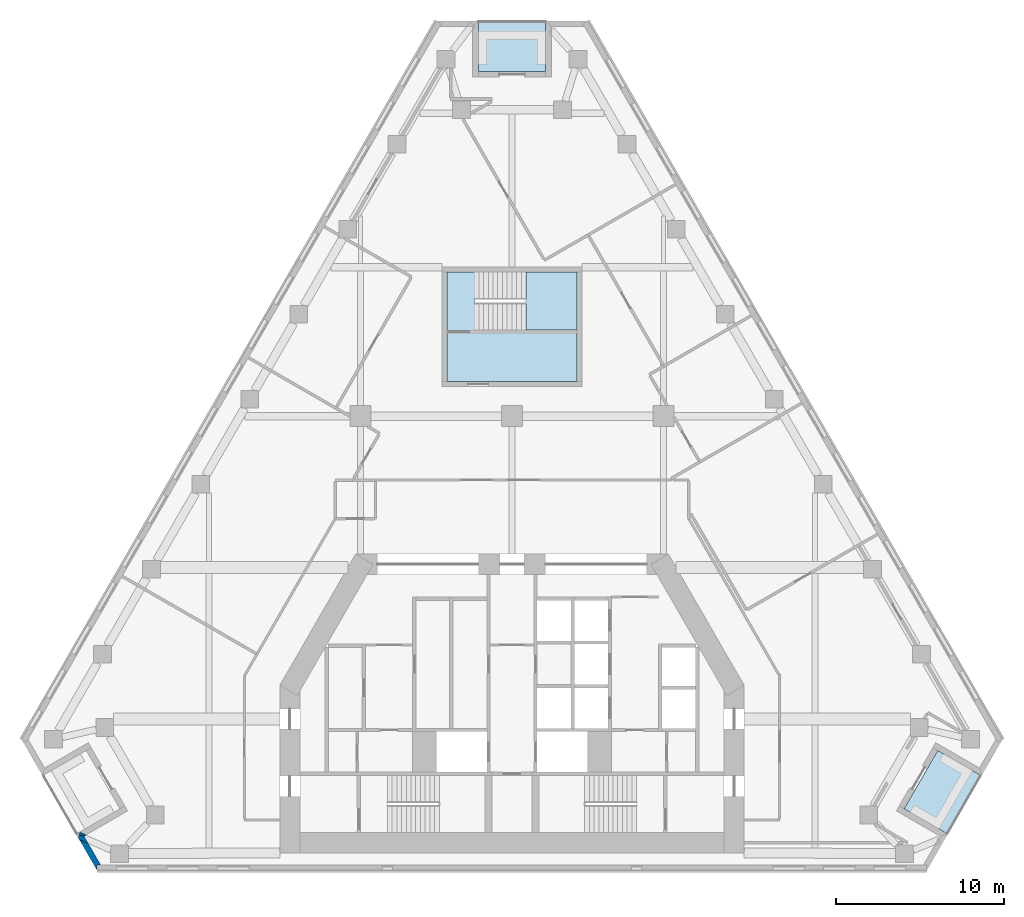
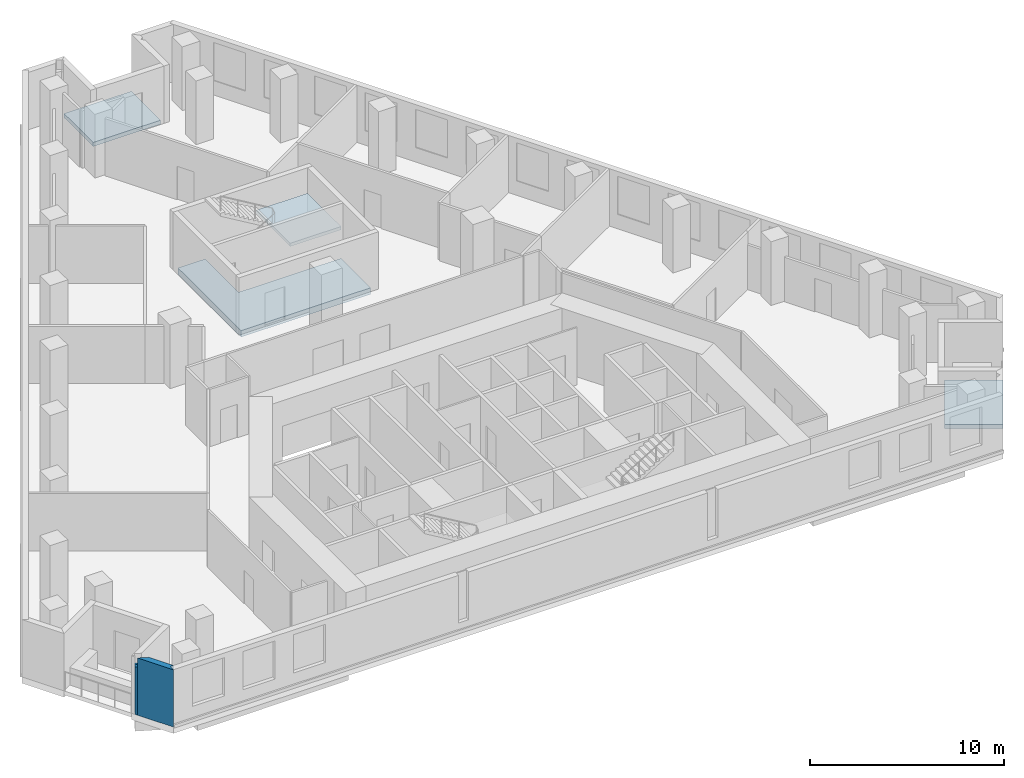
# One storey, part 2 of 9: 4 slabs, 3 walls, 1 element without a shape of its own.
"""IFC4 building model written with IfcOpenShell, lengths in metres."""

from ifc_helpers import new_model, si_unit, direction, frame, origin, place, context, subcontext, project, spatial, polyline, outline, extrude, material, layer, layer_set, type_object, element, aggregate, save


model = new_model("IFC4")

# Units and contexts
model_context = context("Model", 3, precision=1e-05, world=origin(), true_north=direction((0.0, 1.0)))
body_context = subcontext(model_context, "Body", "Model", "MODEL_VIEW")
ifc_project = project(units=[si_unit("LENGTHUNIT", "METRE"), si_unit("AREAUNIT", "SQUARE_METRE"), si_unit("VOLUMEUNIT", "CUBIC_METRE"), si_unit("PLANEANGLEUNIT", "RADIAN"), si_unit("MASSUNIT", "GRAM", prefix="KILO")], contexts=[model_context])

# Site, building, storey
site_placement = place(None, origin())
site = spatial("IfcSite", under=ifc_project, at=site_placement, CompositionType="ELEMENT")
building_placement = place(site_placement, origin())
building = spatial("IfcBuilding", under=site, at=building_placement, Name="Fogline Exchange Tower", CompositionType="ELEMENT")
storey_placement = place(building_placement, frame((0.0, 0.0, 146.89990234375)))
storey = spatial("IfcBuildingStorey", under=building, at=storey_placement, Name="L32", CompositionType="ELEMENT", Elevation=146.89990234375)

# Slabs
ifc_material_1 = material(Name="Concrete C40", Category="concrete")
ifc_layer_1 = layer(ifc_material_1, 0.25)
ifc_layer_set_1 = layer_set([ifc_layer_1], Name="DK1")
slab_type_1 = type_object("IfcSlabType", Name="DK1", PredefinedType="FLOOR", material=ifc_layer_set_1)
slab_1_placement = place(storey_placement, frame((0.0, 0.0, -0.25)))
element("IfcSlab", 1, at=slab_1_placement, inside=storey, type_object=slab_type_1, Name="Balcony L32 SE", PredefinedType="FLOOR", context=body_context, shape_type="SweptSolid", body=[
    extrude(outline(polyline([(25.8984375, 2.1650390625), (27.8984375, 5.629150390625), (25.30029296875, 7.129150390625), (23.30029296875, 3.6650390625), (25.8984375, 2.1650390625)])), origin(), (0.0, 0.0, 1.0), 0.25),
])
slab_2_placement = place(storey_placement, frame((0.0, 0.0, -0.25)))
element("IfcSlab", 2, at=slab_2_placement, inside=storey, type_object=slab_type_1, Name="Balcony L32 N", PredefinedType="FLOOR", context=body_context, shape_type="SweptSolid", body=[
    extrude(outline(polyline([(2.0, 50.48681640625), (-2.0, 50.48681640625), (-2.0, 47.48681640625), (2.0, 47.48681640625), (2.0, 50.48681640625)])), origin(), (0.0, 0.0, 1.0), 0.25),
])
ifc_layer_2 = layer(ifc_material_1, 0.39990234375)
ifc_layer_set_2 = layer_set([ifc_layer_2], Name="S03")
slab_type_2 = type_object("IfcSlabType", Name="S03", PredefinedType="FLOOR", material=ifc_layer_set_2)
slab_3_placement = place(storey_placement, frame((0.0, 0.0, -0.39990234375)))
element("IfcSlab", 3, at=slab_3_placement, inside=storey, type_object=slab_type_2, Name="Stair enclosure floor slab", PredefinedType="FLOOR", context=body_context, shape_type="SweptSolid", body=[
    extrude(outline(polyline([(3.85009765625, 29.056884765625), (-3.85009765625, 29.056884765625), (-3.85009765625, 35.556884765625), (-2.239990234375, 35.556884765625), (-2.239990234375, 32.10693359375), (3.85009765625, 32.10693359375), (3.85009765625, 29.056884765625)])), origin(), (0.0, 0.0, 1.0), 0.39990234375),
])

# Stair, slab
stair_type = type_object("IfcStairType", Name="STR24-1667", PredefinedType="HALF_TURN_STAIR", material=ifc_material_1)
stair_placement = place(storey_placement, origin())
stair = element("IfcStair", 4, at=stair_placement, inside=storey, type_object=stair_type, Name="Stair ST3", PredefinedType="HALF_TURN_STAIR")
ifc_layer_3 = layer(ifc_material_1, 0.199951171875)
ifc_layer_set_3 = layer_set([ifc_layer_3], Name="SL200")
slab_type_3 = type_object("IfcSlabType", Name="SL200", PredefinedType="LANDING", material=ifc_layer_set_3)
slab_4_placement = place(storey_placement, frame((0.0, 0.0, 1.800048828125)))
slab_4 = element("IfcSlab", 5, at=slab_4_placement, type_object=slab_type_3, Name="ST3 landing 1", PredefinedType="LANDING", context=body_context, shape_type="SweptSolid", body=[
    extrude(outline(polyline([(0.830078125, 32.10693359375), (3.85009765625, 32.10693359375), (3.85009765625, 35.556884765625), (0.830078125, 35.556884765625), (0.830078125, 32.10693359375)])), origin(), (0.0, 0.0, 1.0), 0.199951171875),
])
aggregate(stair, [slab_4])

# Walls
ifc_material_2 = material(Name="Brick masonry", Category="masonry")
ifc_layer_4 = layer(ifc_material_2, 0.340087890625)
ifc_layer_set_4 = layer_set([ifc_layer_4], Name="FW1")
wall_type = type_object("IfcWallType", Name="FW1", PredefinedType="SOLIDWALL", material=ifc_layer_set_4)
wall_1_placement = place(storey_placement, origin())
element("IfcWall", 6, at=wall_1_placement, inside=storey, type_object=wall_type, Name="Brick wall L32 SW-s2", PredefinedType="SOLIDWALL", context=body_context, shape_type="SweptSolid", body=[
    extrude(outline(polyline([(-25.433837890625, 2.0400390625), (-25.723388671875, 2.11767578125), (-25.659423828125, 2.260986328125), (-25.31640625, 2.10791015625), (-25.433837890625, 2.0400390625)])), origin(), (0.0, 0.0, 1.0), 3.0),
])
wall_2_placement = place(storey_placement, origin())
element("IfcWall", 7, at=wall_2_placement, inside=storey, type_object=wall_type, Name="Brick wall L32 SW-c2", PredefinedType="SOLIDWALL", context=body_context, shape_type="SweptSolid", body=[
    extrude(outline(polyline([(-25.7880859375, 1.972900390625), (-25.722900390625, 2.11865234375), (-25.43359375, 2.041015625), (-25.185546875, 1.611328125), (-25.71630859375, 1.848388671875), (-25.7880859375, 1.972900390625)])), origin(), (0.0, 0.0, 1.0), 3.0),
])
wall_3_placement = place(storey_placement, origin())
element("IfcWall", 8, at=wall_3_placement, inside=storey, type_object=wall_type, Name="Brick wall L32 SW-c2", PredefinedType="SOLIDWALL", context=body_context, shape_type="SweptSolid", body=[
    extrude(outline(polyline([(-24.64794921875, 0.33935546875), (-24.64794921875, -0.0009765625), (-24.6484375, -0.001220703125), (-25.71630859375, 1.848388671875), (-25.185546875, 1.611328125), (-24.451171875, 0.33935546875), (-24.64794921875, 0.33935546875)])), origin(), (0.0, 0.0, 1.0), 3.60009765625),
])

save(model, "model.ifc")
